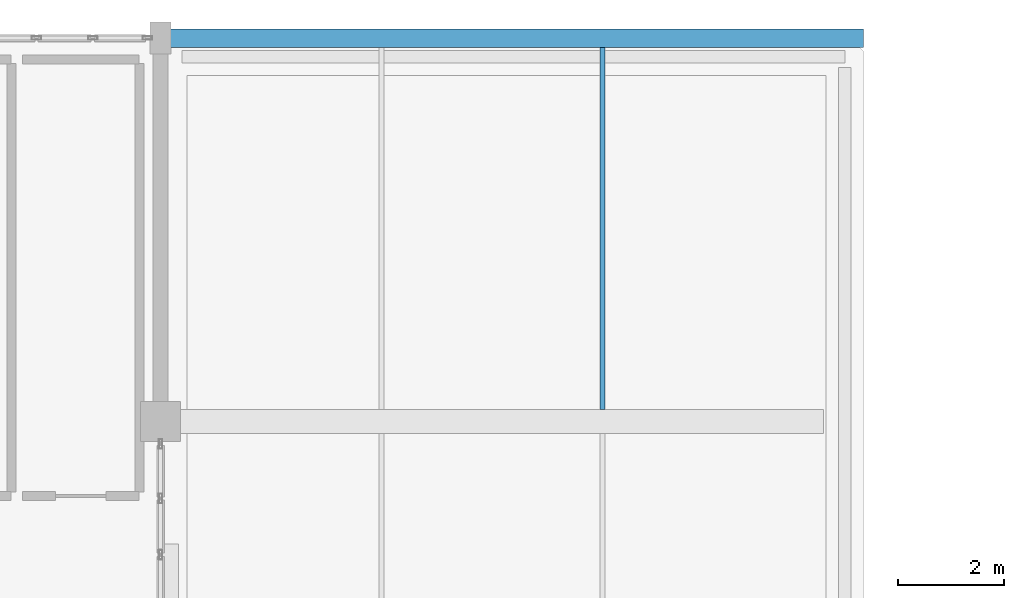
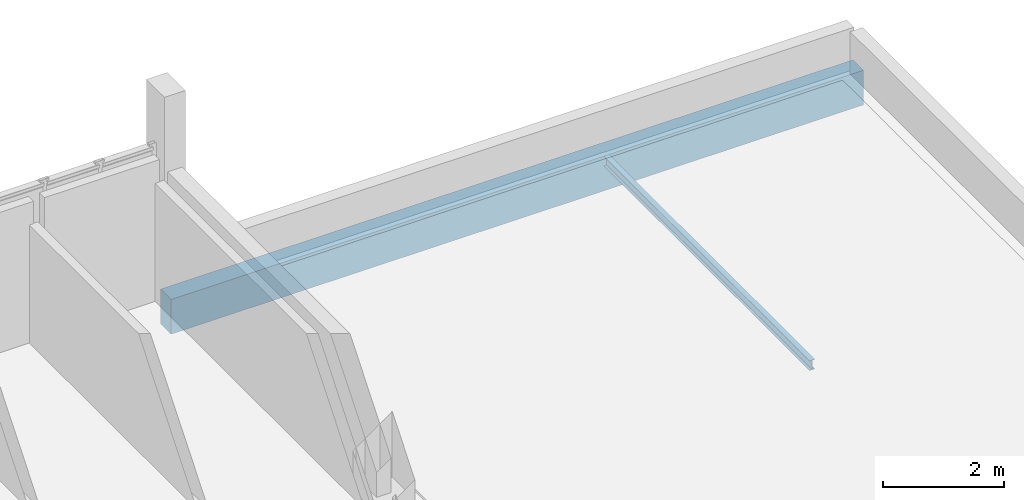
# One storey, part 126 of 188: 2 beams.
"""IFC4 building model written with IfcOpenShell, lengths in metres."""

from ifc_helpers import new_model, si_unit, direction, frame, origin, origin_2d, place, context, subcontext, project, spatial, rectangle, i_section, extrude, material, material_profile, profile_set, type_object, element, save


model = new_model("IFC4")

# Units and contexts
model_context = context("Model", 3, precision=1e-05, world=origin(), true_north=direction((0.0, 1.0)))
body_context = subcontext(model_context, "Body", "Model", "MODEL_VIEW")
ifc_project = project(units=[si_unit("LENGTHUNIT", "METRE"), si_unit("AREAUNIT", "SQUARE_METRE"), si_unit("VOLUMEUNIT", "CUBIC_METRE"), si_unit("PLANEANGLEUNIT", "RADIAN"), si_unit("MASSUNIT", "GRAM", prefix="KILO")], contexts=[model_context])

# Site, building, storey
site_placement = place(None, origin())
site = spatial("IfcSite", under=ifc_project, at=site_placement, CompositionType="ELEMENT")
building_placement = place(site_placement, origin())
building = spatial("IfcBuilding", under=site, at=building_placement, Name="Kisaragi Civic Commons", CompositionType="ELEMENT")
storey_placement = place(building_placement, frame((0.0, 0.0, 9.60009765625)))
storey = spatial("IfcBuildingStorey", under=building, at=storey_placement, Name="L02", CompositionType="ELEMENT", Elevation=9.60009765625)

# Beams
ifc_material_1 = material(Name="Steel SN400 (SN400B)", Category="steel")
ifc_material_profile_1 = material_profile(ifc_material_1, i_section(OverallWidth=0.10009765625, OverallDepth=0.199951171875, WebThickness=0.005615234375, FlangeThickness=0.008056640625, FilletRadius=0.008056640625, at=origin_2d()), Name="H-200x100x5.5x8", Category="steel")
ifc_profile_set_1 = profile_set([ifc_material_profile_1], Name="Steel SN400 (SN400B)")
beam_type_1 = type_object("IfcBeamType", Name="J-06", PredefinedType="JOIST", material=ifc_profile_set_1)
beam_1_placement = place(storey_placement, frame((154.699951171875, 111.824951171875, -0.420166015625), z_axis=(0.0, 1.0, 0.0), x_axis=(-1.0, 0.0, 0.0)))
element("IfcBeam", 1, at=beam_1_placement, inside=storey, type_object=beam_type_1, Name="L02 secondary steel joist J-06 70", PredefinedType="JOIST", context=body_context, shape_type="SweptSolid", body=[
    extrude(i_section(OverallWidth=0.10009765625, OverallDepth=0.199951171875, WebThickness=0.005615234375, FlangeThickness=0.008056640625, FilletRadius=0.008056640625, at=origin_2d()), origin(), (0.0, 0.0, 1.0), 6.800048828125),
])
ifc_material_2 = material(Name="Precast concrete Fc36", Category="concrete")
ifc_material_profile_2 = material_profile(ifc_material_2, rectangle(XDim=0.35009765625, YDim=0.699951171875, at=origin_2d()), Name="PC-350x700", Category="concrete")
ifc_profile_set_2 = profile_set([ifc_material_profile_2], Name="Precast concrete Fc36")
beam_type_2 = type_object("IfcBeamType", Name="SPB-03", PredefinedType="SPANDREL", material=ifc_profile_set_2)
beam_2_placement = place(storey_placement, frame((146.39990234375, 118.800048828125, -0.670166015625), z_axis=(1.0, 0.0, 0.0), x_axis=(0.0, 1.0, 0.0)))
element("IfcBeam", 2, at=beam_2_placement, inside=storey, type_object=beam_type_2, Name="L02 girder SPB-03 314", PredefinedType="SPANDREL", context=body_context, shape_type="SweptSolid", body=[
    extrude(rectangle(XDim=0.35009765625, YDim=0.699951171875, at=origin_2d()), origin(), (0.0, 0.0, 1.0), 13.2001953125),
])

save(model, "model.ifc")
